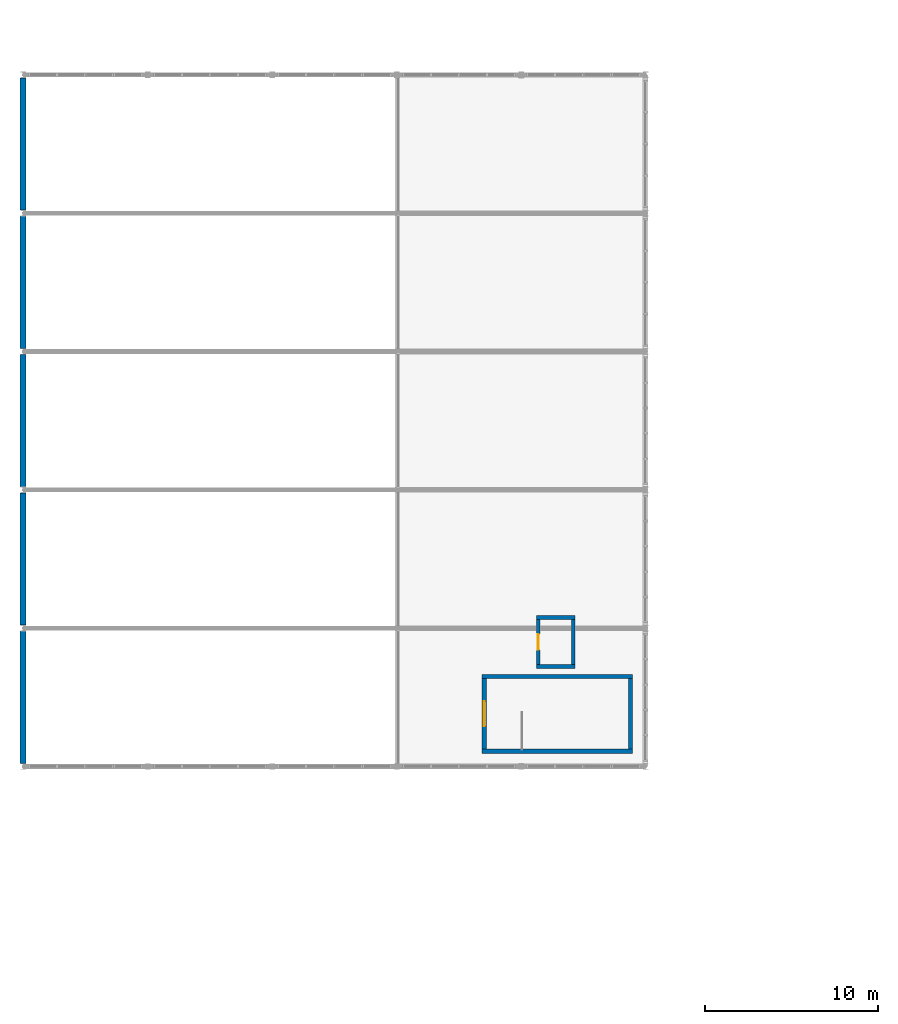
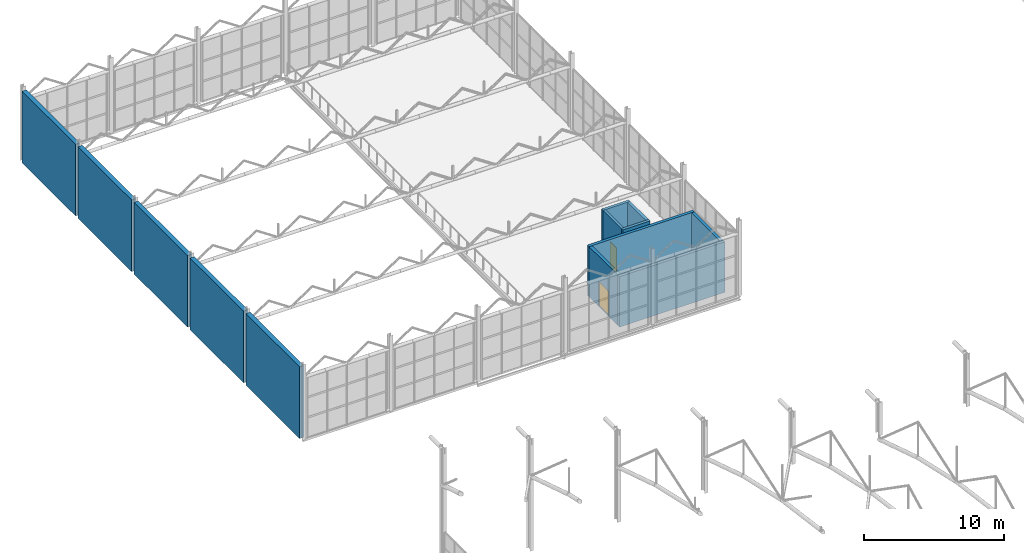
# One storey, part 138 of 153: 13 walls, 2 doors, 2 openings.
"""IFC4 building model written with IfcOpenShell, lengths in metres."""

from ifc_helpers import new_model, si_unit, derived_unit, direction, frame, frame_2d, origin, place, context, subcontext, project, spatial, rectangle, extrude, material, layer, layer_set, type_object, element, fill, save


model = new_model("IFC4")

# Units and contexts
model_context = context("Model", 3, precision=1e-05, world=origin(), true_north=direction((0.0, 1.0)))
body_context = subcontext(model_context, "Body", "Model", "MODEL_VIEW")
ifc_project = project(units=[si_unit("LENGTHUNIT", "METRE"), si_unit("AREAUNIT", "SQUARE_METRE"), si_unit("VOLUMEUNIT", "CUBIC_METRE"), si_unit("PLANEANGLEUNIT", "RADIAN"), si_unit("MASSUNIT", "GRAM", prefix="KILO"), derived_unit("THERMALTRANSMITTANCEUNIT", [(si_unit("POWERUNIT", "WATT"), 1), (si_unit("LENGTHUNIT", "METRE"), -2), (si_unit("THERMODYNAMICTEMPERATUREUNIT", "KELVIN"), -1)])], contexts=[model_context])

# Site, building, storey
site_placement = place(None, origin())
site = spatial("IfcSite", under=ifc_project, at=site_placement, CompositionType="ELEMENT")
building_placement = place(site_placement, origin())
building = spatial("IfcBuilding", under=site, at=building_placement, Name="Keldorne Ridge Multi-Sports Centre", CompositionType="ELEMENT")
storey_placement = place(building_placement, frame((0.0, 0.0, 9.60009765625)))
storey = spatial("IfcBuildingStorey", under=building, at=storey_placement, Name="L02", CompositionType="ELEMENT", Elevation=9.60009765625)

# Walls
ifc_material_1 = material(Name="Precast concrete C40/50", Category="concrete")
ifc_layer_1 = layer(ifc_material_1, 0.360107421875)
ifc_layer_set_1 = layer_set([ifc_layer_1], Name="Precast concrete C40/50")
wall_type_1 = type_object("IfcWallType", Name="WAL-PR-W2", PredefinedType="STANDARD", material=ifc_layer_set_1)
for number, where, z_axis, x_axis, name in (
    (1, (6.0, 81.827880859375, 0.0), (0.0, 0.0, 1.0), (0.0, -1.0, 0.0), "Climbing Hall west climbing wall L02.1"),
    (2, (6.0, 89.827880859375, 0.0), (0.0, 0.0, 1.0), (0.0, -1.0, 0.0), "Climbing Hall west climbing wall L02.2"),
    (3, (6.0, 97.827880859375, 0.0), (0.0, 0.0, 1.0), (0.0, -1.0, 0.0), "Climbing Hall west climbing wall L02.3"),
    (4, (6.0, 105.827880859375, 0.0), (0.0, 0.0, 1.0), (0.0, -1.0, 0.0), "Climbing Hall west climbing wall L02.4"),
    (5, (6.0, 113.827880859375, 0.0), (0.0, 0.0, 1.0), (0.0, -1.0, 0.0), "Climbing Hall west climbing wall L02.5"),
):
    element("IfcWall", number, at=place(storey_placement, frame(where, z_axis=z_axis, x_axis=x_axis)), inside=storey, type_object=wall_type_1, Name=name, PredefinedType="STANDARD", context=body_context, shape_type="SweptSolid", body=[
        extrude(rectangle(XDim=7.65576171875, YDim=0.360107421875, at=frame_2d((3.827880859375, 0.0))), origin(), (0.0, 0.0, 1.0), 6.25),
    ])

# Wall, opening, door
ifc_material_2 = material(Name="Concrete C40/50", Category="concrete")
ifc_layer_2 = layer(ifc_material_2, 0.25)
ifc_layer_set_2 = layer_set([ifc_layer_2], Name="Concrete C40/50")
wall_type_2 = type_object("IfcWallType", Name="WAL-SW01", PredefinedType="SHEAR", material=ifc_layer_set_2)
wall_1_placement = place(storey_placement, frame((32.675048828125, 75.0, 0.0), z_axis=(0.0, 0.0, 1.0), x_axis=(0.0, 1.0, 0.0)))
wall_1 = element("IfcWall", 6, at=wall_1_placement, inside=storey, type_object=wall_type_2, Name="Stair ST-06 shaft wall L02 NEAR", PredefinedType="SHEAR", context=body_context, shape_type="SweptSolid", body=[
    extrude(rectangle(XDim=4.080078125, YDim=0.25, at=frame_2d((2.0400390625, 0.0))), origin(), (0.0, 0.0, 1.0), 4.39990234375),
])
opening_1_placement = place(wall_1_placement, frame((1.31494140625, 0.0, 0.0)))
opening_1 = element("IfcOpeningElement", 7, at=opening_1_placement, cuts=wall_1, Name="Opening D-05", PredefinedType="OPENING", context=body_context, shape_type="SweptSolid", body=[
    extrude(rectangle(XDim=1.449951171875, YDim=2.199951171875, at=frame_2d((0.72509765625, 1.10009765625))), frame((0.0, 0.135009765625, 0.0), z_axis=(0.0, -1.0, 0.0), x_axis=(1.0, 0.0, 0.0)), (0.0, 0.0, 1.0), 0.27001953125),
])
ifc_material_3 = material(Name="Steel fire-resisting pair", Category="steel")
door_type_1 = type_object("IfcDoorType", Name="DR-D-05", OperationType="NOTDEFINED", PredefinedType="DOOR", material=ifc_material_3)
door_1_placement = place(opening_1_placement, origin())
door_1 = element("IfcDoor", 8, at=door_1_placement, inside=storey, type_object=door_type_1, Name="Stair ST-06 L02 fire door D-031", OperationType="DOUBLE_DOOR_SINGLE_SWING", OverallHeight=2.199951171875, OverallWidth=1.449951171875, PredefinedType="DOOR", context=body_context, shape_type="SweptSolid", body=[
    extrude(rectangle(XDim=1.449951171875, YDim=2.199951171875, at=frame_2d((0.72509765625, 1.10009765625))), frame((0.0, 0.02490234375, 0.0), z_axis=(0.0, -1.0, 0.0), x_axis=(1.0, 0.0, 0.0)), (0.0, 0.0, 1.0), 0.050048828125),
])
fill(opening_1, door_1)

# Walls
wall_2_placement = place(storey_placement, frame((41.125, 79.080078125, 0.0), z_axis=(0.0, 0.0, 1.0), x_axis=(0.0, -1.0, 0.0)))
element("IfcWall", 9, at=wall_2_placement, inside=storey, type_object=wall_type_2, Name="Stair ST-06 shaft wall L02 FAR", PredefinedType="SHEAR", context=body_context, shape_type="SweptSolid", body=[
    extrude(rectangle(XDim=4.080078125, YDim=0.25, at=frame_2d((2.0400390625, 0.0))), origin(), (0.0, 0.0, 1.0), 4.39990234375),
])
for number, where, z_axis, x_axis, name in (
    (10, (32.550048828125, 74.875, 0.0), (0.0, 0.0, 1.0), (1.0, 0.0, 0.0), "Stair ST-06 shaft wall L02 SOUTH"),
    (11, (41.25, 79.205078125, 0.0), (0.0, 0.0, 1.0), (-1.0, 0.0, 0.0), "Stair ST-06 shaft wall L02 NORTH"),
):
    element("IfcWall", number, at=place(storey_placement, frame(where, z_axis=z_axis, x_axis=x_axis)), inside=storey, type_object=wall_type_2, Name=name, PredefinedType="SHEAR", context=body_context, shape_type="SweptSolid", body=[
        extrude(rectangle(XDim=8.699951171875, YDim=0.25, at=frame_2d((4.35009765625, 0.0))), origin(), (0.0, 0.0, 1.0), 4.39990234375),
    ])
ifc_layer_3 = layer(ifc_material_2, 0.22998046875)
ifc_layer_set_3 = layer_set([ifc_layer_3], Name="Concrete C40/50")
wall_type_3 = type_object("IfcWallType", Name="WAL-SW02", PredefinedType="SHEAR", material=ifc_layer_set_3)
for number, where, z_axis, x_axis, name in (
    (12, (35.679931640625, 79.7900390625, 0.0), (0.0, 0.0, 1.0), (1.0, 0.0, 0.0), "Lift L-04 shaft wall L02 south"),
    (13, (37.919921875, 82.610107421875, 0.0), (0.0, 0.0, 1.0), (-1.0, 0.0, 0.0), "Lift L-04 shaft wall L02 north"),
):
    element("IfcWall", number, at=place(storey_placement, frame(where, z_axis=z_axis, x_axis=x_axis)), inside=storey, type_object=wall_type_3, Name=name, PredefinedType="SHEAR", context=body_context, shape_type="SweptSolid", body=[
        extrude(rectangle(XDim=2.239990234375, YDim=0.219970703125, at=frame_2d((1.1201171875, 0.0))), origin(), (0.0, 0.0, 1.0), 4.39990234375),
    ])

# Wall, opening, door
wall_3_placement = place(storey_placement, frame((35.7900390625, 82.5, 0.0), z_axis=(0.0, 0.0, 1.0), x_axis=(0.0, -1.0, 0.0)))
wall_3 = element("IfcWall", 14, at=wall_3_placement, inside=storey, type_object=wall_type_3, Name="Lift L-04 shaft wall L02 west", PredefinedType="SHEAR", context=body_context, shape_type="SweptSolid", body=[
    extrude(rectangle(XDim=2.60009765625, YDim=0.219970703125, at=frame_2d((1.300048828125, 0.0))), origin(), (0.0, 0.0, 1.0), 4.39990234375),
])
opening_2_placement = place(wall_3_placement, frame((0.85009765625, 0.0, 0.0)))
opening_2 = element("IfcOpeningElement", 15, at=opening_2_placement, cuts=wall_3, Name="Opening LD-02", PredefinedType="OPENING", context=body_context, shape_type="SweptSolid", body=[
    extrude(rectangle(XDim=0.89990234375, YDim=2.14990234375, at=frame_2d((0.449951171875, 1.074951171875))), frame((0.0, 0.1201171875, 0.0), z_axis=(0.0, -1.0, 0.0), x_axis=(1.0, 0.0, 0.0)), (0.0, 0.0, 1.0), 0.239990234375),
])
ifc_material_4 = material(Name="Stainless steel", Category="steel")
door_type_2 = type_object("IfcDoorType", Name="DR-LD-02", OperationType="NOTDEFINED", PredefinedType="DOOR", material=ifc_material_4)
door_2_placement = place(opening_2_placement, origin())
door_2 = element("IfcDoor", 16, at=door_2_placement, inside=storey, type_object=door_type_2, Name="Lift L-04 sliding landing door L02", OperationType="SLIDING_TO_LEFT", OverallHeight=2.14990234375, OverallWidth=0.89990234375, PredefinedType="DOOR", context=body_context, shape_type="SweptSolid", body=[
    extrude(rectangle(XDim=0.89990234375, YDim=2.14990234375, at=frame_2d((0.449951171875, 1.074951171875))), frame((0.0, 0.02490234375, 0.0), z_axis=(0.0, -1.0, 0.0), x_axis=(1.0, 0.0, 0.0)), (0.0, 0.0, 1.0), 0.050048828125),
])
fill(opening_2, door_2)

# Wall
wall_4_placement = place(storey_placement, frame((37.81005859375, 79.89990234375, 0.0), z_axis=(0.0, 0.0, 1.0), x_axis=(0.0, 1.0, 0.0)))
element("IfcWall", 17, at=wall_4_placement, inside=storey, type_object=wall_type_3, Name="Lift L-04 shaft wall L02 east", PredefinedType="SHEAR", context=body_context, shape_type="SweptSolid", body=[
    extrude(rectangle(XDim=2.60009765625, YDim=0.219970703125, at=frame_2d((1.300048828125, 0.0))), origin(), (0.0, 0.0, 1.0), 4.39990234375),
])

save(model, "model.ifc")
